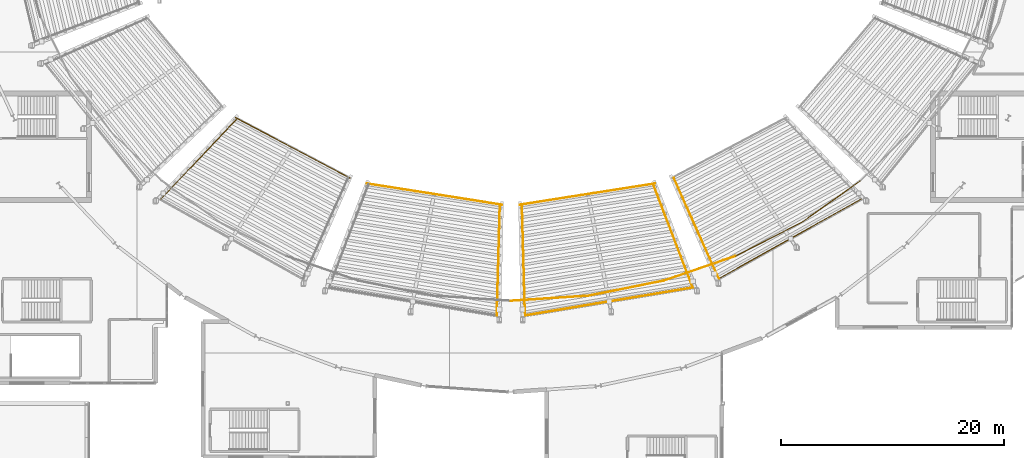
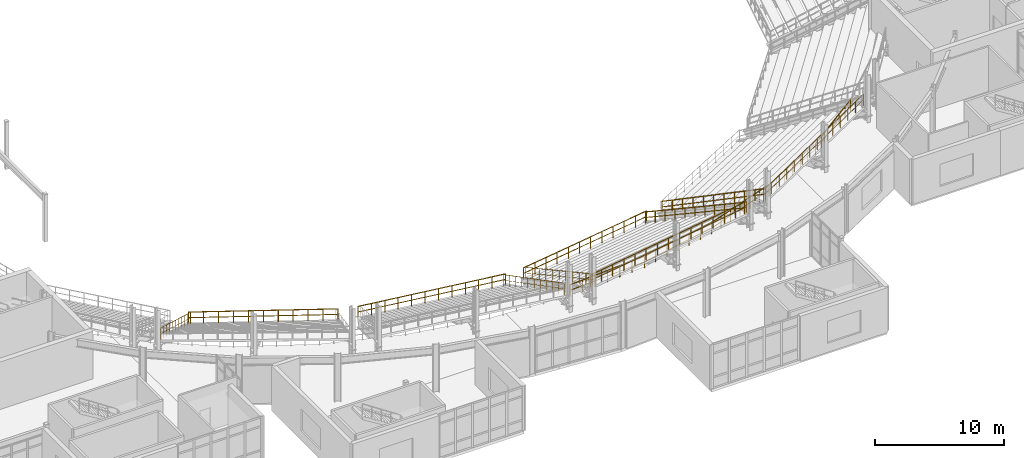
# One storey, part 73 of 81: 15 railings.
"""IFC4 building model written with IfcOpenShell, lengths in metres."""

from ifc_helpers import new_model, si_unit, direction, frame, origin, origin_2d, place, context, subcontext, project, spatial, circle, extrude, material, type_object, element, save


model = new_model("IFC4")

# Units and contexts
model_context = context("Model", 3, precision=1e-05, world=origin(), true_north=direction((0.0, 1.0)))
body_context = subcontext(model_context, "Body", "Model", "MODEL_VIEW")
ifc_project = project(units=[si_unit("LENGTHUNIT", "METRE"), si_unit("AREAUNIT", "SQUARE_METRE"), si_unit("VOLUMEUNIT", "CUBIC_METRE"), si_unit("PLANEANGLEUNIT", "RADIAN"), si_unit("MASSUNIT", "GRAM", prefix="KILO")], contexts=[model_context])

# Site, building, storey
site_placement = place(None, origin())
site = spatial("IfcSite", under=ifc_project, at=site_placement, CompositionType="ELEMENT")
building_placement = place(site_placement, origin())
building = spatial("IfcBuilding", under=site, at=building_placement, Name="Glasvene Arena", CompositionType="ELEMENT")
storey_placement = place(building_placement, frame((0.0, 0.0, 15.0)))
storey = spatial("IfcBuildingStorey", under=building, at=storey_placement, Name="L03", CompositionType="ELEMENT", Elevation=15.0)

# Railings
ifc_material = material(Name="Brushed stainless steel", Category="steel")
railing_type = type_object("IfcRailingType", Name="RL-GUARD-1100", PredefinedType="GUARDRAIL", material=ifc_material)
railing_1_placement = place(storey_placement, frame((92.0, 36.179931640625, 0.0)))
element("IfcRailing", 1, at=railing_1_placement, inside=storey, type_object=railing_type, Name="Safety guardrail GD-BWL-L03-031", PredefinedType="GUARDRAIL", context=body_context, shape_type="SweptSolid", body=[
    extrude(circle(Radius=0.02392578125, at=origin_2d()), frame((0.0, 0.0, 1.076171875), z_axis=(0.997868780368, 0.065252564446, 0.0), x_axis=(-0.065252564446, 0.997868780368, 0.0)), (0.0, 0.0, 1.0), 6.947998046875),
    extrude(circle(Radius=0.01611328125, at=origin_2d()), frame((0.0, 0.0, 0.550048828125), z_axis=(0.997868780368, 0.065252564446, 0.0), x_axis=(-0.065252564446, 0.997868780368, 0.0)), (0.0, 0.0, 1.0), 6.947998046875),
    extrude(circle(Radius=0.02099609375, at=origin_2d()), origin(), (0.0, 0.0, 1.0), 1.052001953125),
    extrude(circle(Radius=0.02099609375, at=origin_2d()), frame((1.155517578125, 0.07568359375, 0.0)), (0.0, 0.0, 1.0), 1.052001953125),
    extrude(circle(Radius=0.02099609375, at=origin_2d()), frame((2.31103515625, 0.151123046875, 0.0)), (0.0, 0.0, 1.0), 1.052001953125),
    extrude(circle(Radius=0.02099609375, at=origin_2d()), frame((3.466552734375, 0.2265625, 0.0)), (0.0, 0.0, 1.0), 1.052001953125),
    extrude(circle(Radius=0.02099609375, at=origin_2d()), frame((4.6220703125, 0.30224609375, 0.0)), (0.0, 0.0, 1.0), 1.052001953125),
    extrude(circle(Radius=0.02099609375, at=origin_2d()), frame((5.777587890625, 0.3779296875, 0.0)), (0.0, 0.0, 1.0), 1.052001953125),
    extrude(circle(Radius=0.02099609375, at=origin_2d()), frame((6.93310546875, 0.453369140625, 0.0)), (0.0, 0.0, 1.0), 1.052001953125),
])
railing_2_placement = place(storey_placement, frame((98.93310546875, 36.63330078125, 0.0)))
element("IfcRailing", 2, at=railing_2_placement, inside=storey, type_object=railing_type, Name="Safety guardrail GD-BWL-L03-032", PredefinedType="GUARDRAIL", context=body_context, shape_type="SweptSolid", body=[
    extrude(circle(Radius=0.02392578125, at=origin_2d()), frame((0.0, 0.0, 1.076171875), z_axis=(0.980681314144, 0.19561226978, 0.0), x_axis=(-0.19561226978, 0.980681314144, 0.0)), (0.0, 0.0, 1.0), 6.895751953125),
    extrude(circle(Radius=0.01611328125, at=origin_2d()), frame((0.0, 0.0, 0.550048828125), z_axis=(0.980681314144, 0.19561226978, 0.0), x_axis=(-0.19561226978, 0.980681314144, 0.0)), (0.0, 0.0, 1.0), 6.895751953125),
    extrude(circle(Radius=0.02099609375, at=origin_2d()), origin(), (0.0, 0.0, 1.0), 1.052001953125),
    extrude(circle(Radius=0.02099609375, at=origin_2d()), frame((1.126953125, 0.224853515625, 0.0)), (0.0, 0.0, 1.0), 1.052001953125),
    extrude(circle(Radius=0.02099609375, at=origin_2d()), frame((2.254150390625, 0.44970703125, 0.0)), (0.0, 0.0, 1.0), 1.052001953125),
    extrude(circle(Radius=0.02099609375, at=origin_2d()), frame((3.38134765625, 0.67431640625, 0.0)), (0.0, 0.0, 1.0), 1.052001953125),
    extrude(circle(Radius=0.02099609375, at=origin_2d()), frame((4.50830078125, 0.899169921875, 0.0)), (0.0, 0.0, 1.0), 1.052001953125),
    extrude(circle(Radius=0.02099609375, at=origin_2d()), frame((5.63525390625, 1.1240234375, 0.0)), (0.0, 0.0, 1.0), 1.052001953125),
    extrude(circle(Radius=0.02099609375, at=origin_2d()), frame((6.762451171875, 1.348876953125, 0.0)), (0.0, 0.0, 1.0), 1.052001953125),
])
railing_3_placement = place(storey_placement, frame((105.695556640625, 37.982177734375, 0.0)))
element("IfcRailing", 3, at=railing_3_placement, inside=storey, type_object=railing_type, Name="Safety guardrail GD-BWL-L03-033", PredefinedType="GUARDRAIL", context=body_context, shape_type="SweptSolid", body=[
    extrude(circle(Radius=0.02392578125, at=origin_2d()), frame((0.0, 0.0, 1.076171875), z_axis=(0.945585072806, 0.325374968437, 0.0), x_axis=(-0.325374968437, 0.945585072806, 0.0)), (0.0, 0.0, 1.0), 6.795166015625),
    extrude(circle(Radius=0.01611328125, at=origin_2d()), frame((0.0, 0.0, 0.550048828125), z_axis=(0.945585072806, 0.325374968437, 0.0), x_axis=(-0.325374968437, 0.945585072806, 0.0)), (0.0, 0.0, 1.0), 6.795166015625),
    extrude(circle(Radius=0.02099609375, at=origin_2d()), origin(), (0.0, 0.0, 1.0), 1.052001953125),
    extrude(circle(Radius=0.02099609375, at=origin_2d()), frame((1.07080078125, 0.368408203125, 0.0)), (0.0, 0.0, 1.0), 1.052001953125),
    extrude(circle(Radius=0.02099609375, at=origin_2d()), frame((2.141845703125, 0.737060546875, 0.0)), (0.0, 0.0, 1.0), 1.052001953125),
    extrude(circle(Radius=0.02099609375, at=origin_2d()), frame((3.212646484375, 1.10546875, 0.0)), (0.0, 0.0, 1.0), 1.052001953125),
    extrude(circle(Radius=0.02099609375, at=origin_2d()), frame((4.283447265625, 1.473876953125, 0.0)), (0.0, 0.0, 1.0), 1.052001953125),
    extrude(circle(Radius=0.02099609375, at=origin_2d()), frame((5.3544921875, 1.842529296875, 0.0)), (0.0, 0.0, 1.0), 1.052001953125),
    extrude(circle(Radius=0.02099609375, at=origin_2d()), frame((6.42529296875, 2.2109375, 0.0)), (0.0, 0.0, 1.0), 1.052001953125),
])
railing_4_placement = place(storey_placement, frame((112.120849609375, 40.193115234375, 0.0)))
element("IfcRailing", 4, at=railing_4_placement, inside=storey, type_object=railing_type, Name="Safety guardrail GD-BWL-L03-034", PredefinedType="GUARDRAIL", context=body_context, shape_type="SweptSolid", body=[
    extrude(circle(Radius=0.02392578125, at=origin_2d()), frame((0.0, 0.0, 1.076171875), z_axis=(0.891160148677, 0.453688868511, 0.0), x_axis=(-0.453688868511, 0.891160148677, 0.0)), (0.0, 0.0, 1.0), 6.65380859375),
    extrude(circle(Radius=0.01611328125, at=origin_2d()), frame((0.0, 0.0, 0.550048828125), z_axis=(0.891160148677, 0.453688868511, 0.0), x_axis=(-0.453688868511, 0.891160148677, 0.0)), (0.0, 0.0, 1.0), 6.65380859375),
    extrude(circle(Radius=0.02099609375, at=origin_2d()), origin(), (0.0, 0.0, 1.0), 1.052001953125),
    extrude(circle(Radius=0.02099609375, at=origin_2d()), frame((0.98828125, 0.503173828125, 0.0)), (0.0, 0.0, 1.0), 1.052001953125),
    extrude(circle(Radius=0.02099609375, at=origin_2d()), frame((1.9765625, 1.00634765625, 0.0)), (0.0, 0.0, 1.0), 1.052001953125),
    extrude(circle(Radius=0.02099609375, at=origin_2d()), frame((2.96484375, 1.50927734375, 0.0)), (0.0, 0.0, 1.0), 1.052001953125),
    extrude(circle(Radius=0.02099609375, at=origin_2d()), frame((3.953125, 2.012451171875, 0.0)), (0.0, 0.0, 1.0), 1.052001953125),
    extrude(circle(Radius=0.02099609375, at=origin_2d()), frame((4.94140625, 2.515625, 0.0)), (0.0, 0.0, 1.0), 1.052001953125),
    extrude(circle(Radius=0.02099609375, at=origin_2d()), frame((5.9296875, 3.018798828125, 0.0)), (0.0, 0.0, 1.0), 1.052001953125),
])
railing_5_placement = place(storey_placement, frame((118.050537109375, 43.2119140625, 0.0)))
element("IfcRailing", 5, at=railing_5_placement, inside=storey, type_object=railing_type, Name="Safety guardrail GD-BWL-L03-035", PredefinedType="GUARDRAIL", context=body_context, shape_type="SweptSolid", body=[
    extrude(circle(Radius=0.02392578125, at=origin_2d()), frame((0.0, 0.0, 1.076171875), z_axis=(0.815561022815, 0.57867107934, 0.0), x_axis=(-0.57867107934, 0.815561022815, 0.0)), (0.0, 0.0, 1.0), 6.484619140625),
    extrude(circle(Radius=0.01611328125, at=origin_2d()), frame((0.0, 0.0, 0.550048828125), z_axis=(0.815561022815, 0.57867107934, 0.0), x_axis=(-0.57867107934, 0.815561022815, 0.0)), (0.0, 0.0, 1.0), 6.484619140625),
    extrude(circle(Radius=0.02099609375, at=origin_2d()), origin(), (0.0, 0.0, 1.0), 1.052001953125),
    extrude(circle(Radius=0.02099609375, at=origin_2d()), frame((0.88134765625, 0.62548828125, 0.0)), (0.0, 0.0, 1.0), 1.052001953125),
    extrude(circle(Radius=0.02099609375, at=origin_2d()), frame((1.762939453125, 1.250732421875, 0.0)), (0.0, 0.0, 1.0), 1.052001953125),
    extrude(circle(Radius=0.02099609375, at=origin_2d()), frame((2.644287109375, 1.876220703125, 0.0)), (0.0, 0.0, 1.0), 1.052001953125),
    extrude(circle(Radius=0.02099609375, at=origin_2d()), frame((3.525634765625, 2.501708984375, 0.0)), (0.0, 0.0, 1.0), 1.052001953125),
    extrude(circle(Radius=0.02099609375, at=origin_2d()), frame((4.4072265625, 3.126953125, 0.0)), (0.0, 0.0, 1.0), 1.052001953125),
    extrude(circle(Radius=0.02099609375, at=origin_2d()), frame((5.28857421875, 3.75244140625, 0.0)), (0.0, 0.0, 1.0), 1.052001953125),
])
railing_6_placement = place(storey_placement, frame((67.32177734375, 52.597900390625, -3.89990234375)))
element("IfcRailing", 6, at=railing_6_placement, inside=storey, type_object=railing_type, Name="Safety guardrail GD-TU-UF-11-001", PredefinedType="GUARDRAIL", context=body_context, shape_type="SweptSolid", body=[
    extrude(circle(Radius=0.02392578125, at=origin_2d()), frame((0.0, 0.0, 1.076171875), z_axis=(0.884339402023, -0.466844537324, 0.0), x_axis=(0.466844537324, 0.884339402023, 0.0)), (0.0, 0.0, 1.0), 11.60595703125),
    extrude(circle(Radius=0.01611328125, at=origin_2d()), frame((0.0, 0.0, 0.550048828125), z_axis=(0.884339402023, -0.466844537324, 0.0), x_axis=(0.466844537324, 0.884339402023, 0.0)), (0.0, 0.0, 1.0), 11.60595703125),
    extrude(circle(Radius=0.02099609375, at=origin_2d()), origin(), (0.0, 0.0, 1.0), 1.052001953125),
    extrude(circle(Radius=0.02099609375, at=origin_2d()), frame((1.0263671875, -0.541748046875, 0.0)), (0.0, 0.0, 1.0), 1.052001953125),
    extrude(circle(Radius=0.02099609375, at=origin_2d()), frame((2.052734375, -1.083740234375, 0.0)), (0.0, 0.0, 1.0), 1.052001953125),
    extrude(circle(Radius=0.02099609375, at=origin_2d()), frame((3.0791015625, -1.62548828125, 0.0)), (0.0, 0.0, 1.0), 1.052001953125),
    extrude(circle(Radius=0.02099609375, at=origin_2d()), frame((4.10546875, -2.167236328125, 0.0)), (0.0, 0.0, 1.0), 1.052001953125),
    extrude(circle(Radius=0.02099609375, at=origin_2d()), frame((5.1318359375, -2.708984375, 0.0)), (0.0, 0.0, 1.0), 1.052001953125),
    extrude(circle(Radius=0.02099609375, at=origin_2d()), frame((6.158203125, -3.2509765625, 0.0)), (0.0, 0.0, 1.0), 1.052001953125),
    extrude(circle(Radius=0.02099609375, at=origin_2d()), frame((7.1845703125, -3.792724609375, 0.0)), (0.0, 0.0, 1.0), 1.052001953125),
    extrude(circle(Radius=0.02099609375, at=origin_2d()), frame((8.2109375, -4.33447265625, 0.0)), (0.0, 0.0, 1.0), 1.052001953125),
    extrude(circle(Radius=0.02099609375, at=origin_2d()), frame((9.2373046875, -4.87646484375, 0.0)), (0.0, 0.0, 1.0), 1.052001953125),
    extrude(circle(Radius=0.02099609375, at=origin_2d()), frame((10.263671875, -5.418212890625, 0.0)), (0.0, 0.0, 1.0), 1.052001953125),
])
railing_7_placement = place(storey_placement, frame((67.430419921875, 52.478759765625, -3.89990234375)))
element("IfcRailing", 7, at=railing_7_placement, inside=storey, type_object=railing_type, Name="Upper tier radial aisle guard 11-1", PredefinedType="GUARDRAIL", context=body_context, shape_type="SweptSolid", body=[
    extrude(circle(Radius=0.02392578125, at=origin_2d()), frame((0.0, 0.0, 1.076171875), z_axis=(-0.60640450532, -0.640959204418, 0.470579296399), x_axis=(0.726416506845, -0.687254726126, 0.0)), (0.0, 0.0, 1.0), 11.2197265625),
    extrude(circle(Radius=0.01611328125, at=origin_2d()), frame((0.0, 0.0, 0.550048828125), z_axis=(-0.60640450532, -0.640959204418, 0.470579296399), x_axis=(0.726416506845, -0.687254726126, 0.0)), (0.0, 0.0, 1.0), 11.2197265625),
    extrude(circle(Radius=0.02099609375, at=origin_2d()), origin(), (0.0, 0.0, 1.0), 1.052001953125),
    extrude(circle(Radius=0.02099609375, at=origin_2d()), frame((-0.680419921875, -0.71923828125, 0.528076171875)), (0.0, 0.0, 1.0), 1.052001953125),
    extrude(circle(Radius=0.02099609375, at=origin_2d()), frame((-1.36083984375, -1.438232421875, 1.055908203125)), (0.0, 0.0, 1.0), 1.052001953125),
    extrude(circle(Radius=0.02099609375, at=origin_2d()), frame((-2.041015625, -2.157470703125, 1.583984375)), (0.0, 0.0, 1.0), 1.052001953125),
    extrude(circle(Radius=0.02099609375, at=origin_2d()), frame((-2.721435546875, -2.87646484375, 2.11181640625)), (0.0, 0.0, 1.0), 1.052001953125),
    extrude(circle(Radius=0.02099609375, at=origin_2d()), frame((-3.40185546875, -3.595703125, 2.639892578125)), (0.0, 0.0, 1.0), 1.052001953125),
    extrude(circle(Radius=0.02099609375, at=origin_2d()), frame((-4.082275390625, -4.31494140625, 3.16796875)), (0.0, 0.0, 1.0), 1.052001953125),
    extrude(circle(Radius=0.02099609375, at=origin_2d()), frame((-4.7626953125, -5.033935546875, 3.69580078125)), (0.0, 0.0, 1.0), 1.052001953125),
    extrude(circle(Radius=0.02099609375, at=origin_2d()), frame((-5.44287109375, -5.753173828125, 4.223876953125)), (0.0, 0.0, 1.0), 1.052001953125),
    extrude(circle(Radius=0.02099609375, at=origin_2d()), frame((-6.123291015625, -6.47216796875, 4.751708984375)), (0.0, 0.0, 1.0), 1.052001953125),
    extrude(circle(Radius=0.02099609375, at=origin_2d()), frame((-6.8037109375, -7.19140625, 5.27978515625)), (0.0, 0.0, 1.0), 1.052001953125),
])
railing_8_placement = place(storey_placement, frame((79.082763671875, 46.689697265625, -3.89990234375)))
element("IfcRailing", 8, at=railing_8_placement, inside=storey, type_object=railing_type, Name="Safety guardrail GD-TU-UF-12-001", PredefinedType="GUARDRAIL", context=body_context, shape_type="SweptSolid", body=[
    extrude(circle(Radius=0.02392578125, at=origin_2d()), frame((0.0, 0.0, 1.076171875), z_axis=(0.987879307445, -0.155223947643, 0.0), x_axis=(0.155223947643, 0.987879307445, 0.0)), (0.0, 0.0, 1.0), 12.25537109375),
    extrude(circle(Radius=0.01611328125, at=origin_2d()), frame((0.0, 0.0, 0.550048828125), z_axis=(0.987879307445, -0.155223947643, 0.0), x_axis=(0.155223947643, 0.987879307445, 0.0)), (0.0, 0.0, 1.0), 12.25537109375),
    extrude(circle(Radius=0.02099609375, at=origin_2d()), origin(), (0.0, 0.0, 1.0), 1.052001953125),
    extrude(circle(Radius=0.02099609375, at=origin_2d()), frame((1.1005859375, -0.1728515625, 0.0)), (0.0, 0.0, 1.0), 1.052001953125),
    extrude(circle(Radius=0.02099609375, at=origin_2d()), frame((2.201171875, -0.345947265625, 0.0)), (0.0, 0.0, 1.0), 1.052001953125),
    extrude(circle(Radius=0.02099609375, at=origin_2d()), frame((3.302001953125, -0.518798828125, 0.0)), (0.0, 0.0, 1.0), 1.052001953125),
    extrude(circle(Radius=0.02099609375, at=origin_2d()), frame((4.402587890625, -0.691650390625, 0.0)), (0.0, 0.0, 1.0), 1.052001953125),
    extrude(circle(Radius=0.02099609375, at=origin_2d()), frame((5.503173828125, -0.86474609375, 0.0)), (0.0, 0.0, 1.0), 1.052001953125),
    extrude(circle(Radius=0.02099609375, at=origin_2d()), frame((6.603759765625, -1.03759765625, 0.0)), (0.0, 0.0, 1.0), 1.052001953125),
    extrude(circle(Radius=0.02099609375, at=origin_2d()), frame((7.704345703125, -1.210693359375, 0.0)), (0.0, 0.0, 1.0), 1.052001953125),
    extrude(circle(Radius=0.02099609375, at=origin_2d()), frame((8.804931640625, -1.383544921875, 0.0)), (0.0, 0.0, 1.0), 1.052001953125),
    extrude(circle(Radius=0.02099609375, at=origin_2d()), frame((9.90576171875, -1.556396484375, 0.0)), (0.0, 0.0, 1.0), 1.052001953125),
    extrude(circle(Radius=0.02099609375, at=origin_2d()), frame((11.00634765625, -1.7294921875, 0.0)), (0.0, 0.0, 1.0), 1.052001953125),
    extrude(circle(Radius=0.02099609375, at=origin_2d()), frame((12.10693359375, -1.90234375, 0.0)), (0.0, 0.0, 1.0), 1.052001953125),
])
railing_9_placement = place(storey_placement, frame((91.01025390625, 44.7607421875, -3.89990234375)))
element("IfcRailing", 9, at=railing_9_placement, inside=storey, type_object=railing_type, Name="Upper tier radial aisle guard 12-2", PredefinedType="GUARDRAIL", context=body_context, shape_type="SweptSolid", body=[
    extrude(circle(Radius=0.02392578125, at=origin_2d()), frame((0.0, 0.0, 1.076171875), z_axis=(-0.024435970289, -0.882023201836, 0.470571944317), x_axis=(0.99961645242, -0.027693826966, 0.0)), (0.0, 0.0, 1.0), 11.219970703125),
    extrude(circle(Radius=0.01611328125, at=origin_2d()), frame((0.0, 0.0, 0.550048828125), z_axis=(-0.024435970289, -0.882023201836, 0.470571944317), x_axis=(0.99961645242, -0.027693826966, 0.0)), (0.0, 0.0, 1.0), 11.219970703125),
    extrude(circle(Radius=0.02099609375, at=origin_2d()), origin(), (0.0, 0.0, 1.0), 1.052001953125),
    extrude(circle(Radius=0.02099609375, at=origin_2d()), frame((-0.02734375, -0.98974609375, 0.528076171875)), (0.0, 0.0, 1.0), 1.052001953125),
    extrude(circle(Radius=0.02099609375, at=origin_2d()), frame((-0.054931640625, -1.979248046875, 1.055908203125)), (0.0, 0.0, 1.0), 1.052001953125),
    extrude(circle(Radius=0.02099609375, at=origin_2d()), frame((-0.082275390625, -2.96875, 1.583984375)), (0.0, 0.0, 1.0), 1.052001953125),
    extrude(circle(Radius=0.02099609375, at=origin_2d()), frame((-0.109619140625, -3.95849609375, 2.11181640625)), (0.0, 0.0, 1.0), 1.052001953125),
    extrude(circle(Radius=0.02099609375, at=origin_2d()), frame((-0.13720703125, -4.9482421875, 2.639892578125)), (0.0, 0.0, 1.0), 1.052001953125),
    extrude(circle(Radius=0.02099609375, at=origin_2d()), frame((-0.16455078125, -5.937744140625, 3.16796875)), (0.0, 0.0, 1.0), 1.052001953125),
    extrude(circle(Radius=0.02099609375, at=origin_2d()), frame((-0.19189453125, -6.92724609375, 3.69580078125)), (0.0, 0.0, 1.0), 1.052001953125),
    extrude(circle(Radius=0.02099609375, at=origin_2d()), frame((-0.21923828125, -7.9169921875, 4.223876953125)), (0.0, 0.0, 1.0), 1.052001953125),
    extrude(circle(Radius=0.02099609375, at=origin_2d()), frame((-0.246826171875, -8.90673828125, 4.751708984375)), (0.0, 0.0, 1.0), 1.052001953125),
    extrude(circle(Radius=0.02099609375, at=origin_2d()), frame((-0.274169921875, -9.896240234375, 5.27978515625)), (0.0, 0.0, 1.0), 1.052001953125),
])
railing_10_placement = place(storey_placement, frame((92.810302734375, 44.787353515625, -3.89990234375)))
element("IfcRailing", 10, at=railing_10_placement, inside=storey, type_object=railing_type, Name="Safety guardrail GD-TU-UF-13-001", PredefinedType="GUARDRAIL", context=body_context, shape_type="SweptSolid", body=[
    extrude(circle(Radius=0.02392578125, at=origin_2d()), frame((0.0, 0.0, 1.076171875), z_axis=(0.987879307445, 0.155223947643, 0.0), x_axis=(-0.155223947643, 0.987879307445, 0.0)), (0.0, 0.0, 1.0), 12.25537109375),
    extrude(circle(Radius=0.01611328125, at=origin_2d()), frame((0.0, 0.0, 0.550048828125), z_axis=(0.987879307445, 0.155223947643, 0.0), x_axis=(-0.155223947643, 0.987879307445, 0.0)), (0.0, 0.0, 1.0), 12.25537109375),
    extrude(circle(Radius=0.02099609375, at=origin_2d()), origin(), (0.0, 0.0, 1.0), 1.052001953125),
    extrude(circle(Radius=0.02099609375, at=origin_2d()), frame((1.1005859375, 0.1728515625, 0.0)), (0.0, 0.0, 1.0), 1.052001953125),
    extrude(circle(Radius=0.02099609375, at=origin_2d()), frame((2.201171875, 0.345947265625, 0.0)), (0.0, 0.0, 1.0), 1.052001953125),
    extrude(circle(Radius=0.02099609375, at=origin_2d()), frame((3.302001953125, 0.518798828125, 0.0)), (0.0, 0.0, 1.0), 1.052001953125),
    extrude(circle(Radius=0.02099609375, at=origin_2d()), frame((4.402587890625, 0.691650390625, 0.0)), (0.0, 0.0, 1.0), 1.052001953125),
    extrude(circle(Radius=0.02099609375, at=origin_2d()), frame((5.503173828125, 0.86474609375, 0.0)), (0.0, 0.0, 1.0), 1.052001953125),
    extrude(circle(Radius=0.02099609375, at=origin_2d()), frame((6.603759765625, 1.03759765625, 0.0)), (0.0, 0.0, 1.0), 1.052001953125),
    extrude(circle(Radius=0.02099609375, at=origin_2d()), frame((7.704345703125, 1.210693359375, 0.0)), (0.0, 0.0, 1.0), 1.052001953125),
    extrude(circle(Radius=0.02099609375, at=origin_2d()), frame((8.804931640625, 1.383544921875, 0.0)), (0.0, 0.0, 1.0), 1.052001953125),
    extrude(circle(Radius=0.02099609375, at=origin_2d()), frame((9.90576171875, 1.556396484375, 0.0)), (0.0, 0.0, 1.0), 1.052001953125),
    extrude(circle(Radius=0.02099609375, at=origin_2d()), frame((11.00634765625, 1.7294921875, 0.0)), (0.0, 0.0, 1.0), 1.052001953125),
    extrude(circle(Radius=0.02099609375, at=origin_2d()), frame((12.10693359375, 1.90234375, 0.0)), (0.0, 0.0, 1.0), 1.052001953125),
])
railing_11_placement = place(storey_placement, frame((93.036376953125, 34.829833984375, 1.3798828125)))
element("IfcRailing", 11, at=railing_11_placement, inside=storey, type_object=railing_type, Name="Safety guardrail GD-TU-UR-13-001", PredefinedType="GUARDRAIL", context=body_context, shape_type="SweptSolid", body=[
    extrude(circle(Radius=0.02392578125, at=origin_2d()), frame((0.0, 0.0, 1.076171875), z_axis=(0.98646068738, 0.163997903197, 0.0), x_axis=(-0.163997903197, 0.98646068738, 0.0)), (0.0, 0.0, 1.0), 15.695068359375),
    extrude(circle(Radius=0.01611328125, at=origin_2d()), frame((0.0, 0.0, 0.550048828125), z_axis=(0.98646068738, 0.163997903197, 0.0), x_axis=(-0.163997903197, 0.98646068738, 0.0)), (0.0, 0.0, 1.0), 15.695068359375),
    extrude(circle(Radius=0.02099609375, at=origin_2d()), origin(), (0.0, 0.0, 1.0), 1.052001953125),
    extrude(circle(Radius=0.02099609375, at=origin_2d()), frame((1.10595703125, 0.183837890625, 0.0)), (0.0, 0.0, 1.0), 1.052001953125),
    extrude(circle(Radius=0.02099609375, at=origin_2d()), frame((2.2119140625, 0.36767578125, 0.0)), (0.0, 0.0, 1.0), 1.052001953125),
    extrude(circle(Radius=0.02099609375, at=origin_2d()), frame((3.317626953125, 0.551513671875, 0.0)), (0.0, 0.0, 1.0), 1.052001953125),
    extrude(circle(Radius=0.02099609375, at=origin_2d()), frame((4.423583984375, 0.7353515625, 0.0)), (0.0, 0.0, 1.0), 1.052001953125),
    extrude(circle(Radius=0.02099609375, at=origin_2d()), frame((5.529541015625, 0.919189453125, 0.0)), (0.0, 0.0, 1.0), 1.052001953125),
    extrude(circle(Radius=0.02099609375, at=origin_2d()), frame((6.635498046875, 1.10302734375, 0.0)), (0.0, 0.0, 1.0), 1.052001953125),
    extrude(circle(Radius=0.02099609375, at=origin_2d()), frame((7.7412109375, 1.287109375, 0.0)), (0.0, 0.0, 1.0), 1.052001953125),
    extrude(circle(Radius=0.02099609375, at=origin_2d()), frame((8.84716796875, 1.470947265625, 0.0)), (0.0, 0.0, 1.0), 1.052001953125),
    extrude(circle(Radius=0.02099609375, at=origin_2d()), frame((9.953125, 1.65478515625, 0.0)), (0.0, 0.0, 1.0), 1.052001953125),
    extrude(circle(Radius=0.02099609375, at=origin_2d()), frame((11.05908203125, 1.838623046875, 0.0)), (0.0, 0.0, 1.0), 1.052001953125),
    extrude(circle(Radius=0.02099609375, at=origin_2d()), frame((12.1650390625, 2.0224609375, 0.0)), (0.0, 0.0, 1.0), 1.052001953125),
    extrude(circle(Radius=0.02099609375, at=origin_2d()), frame((13.270751953125, 2.206298828125, 0.0)), (0.0, 0.0, 1.0), 1.052001953125),
    extrude(circle(Radius=0.02099609375, at=origin_2d()), frame((14.376708984375, 2.39013671875, 0.0)), (0.0, 0.0, 1.0), 1.052001953125),
    extrude(circle(Radius=0.02099609375, at=origin_2d()), frame((15.482666015625, 2.573974609375, 0.0)), (0.0, 0.0, 1.0), 1.052001953125),
])
railing_12_placement = place(storey_placement, frame((92.98974609375, 44.7607421875, -3.89990234375)))
element("IfcRailing", 12, at=railing_12_placement, inside=storey, type_object=railing_type, Name="Upper tier radial aisle guard 13-1", PredefinedType="GUARDRAIL", context=body_context, shape_type="SweptSolid", body=[
    extrude(circle(Radius=0.02392578125, at=origin_2d()), frame((0.0, 0.0, 1.076171875), z_axis=(0.024435970289, -0.882023201836, 0.470571944317), x_axis=(0.99961645242, 0.027693826966, 0.0)), (0.0, 0.0, 1.0), 11.219970703125),
    extrude(circle(Radius=0.01611328125, at=origin_2d()), frame((0.0, 0.0, 0.550048828125), z_axis=(0.024435970289, -0.882023201836, 0.470571944317), x_axis=(0.99961645242, 0.027693826966, 0.0)), (0.0, 0.0, 1.0), 11.219970703125),
    extrude(circle(Radius=0.02099609375, at=origin_2d()), origin(), (0.0, 0.0, 1.0), 1.052001953125),
    extrude(circle(Radius=0.02099609375, at=origin_2d()), frame((0.02734375, -0.98974609375, 0.528076171875)), (0.0, 0.0, 1.0), 1.052001953125),
    extrude(circle(Radius=0.02099609375, at=origin_2d()), frame((0.054931640625, -1.979248046875, 1.055908203125)), (0.0, 0.0, 1.0), 1.052001953125),
    extrude(circle(Radius=0.02099609375, at=origin_2d()), frame((0.082275390625, -2.96875, 1.583984375)), (0.0, 0.0, 1.0), 1.052001953125),
    extrude(circle(Radius=0.02099609375, at=origin_2d()), frame((0.109619140625, -3.95849609375, 2.11181640625)), (0.0, 0.0, 1.0), 1.052001953125),
    extrude(circle(Radius=0.02099609375, at=origin_2d()), frame((0.13720703125, -4.9482421875, 2.639892578125)), (0.0, 0.0, 1.0), 1.052001953125),
    extrude(circle(Radius=0.02099609375, at=origin_2d()), frame((0.16455078125, -5.937744140625, 3.16796875)), (0.0, 0.0, 1.0), 1.052001953125),
    extrude(circle(Radius=0.02099609375, at=origin_2d()), frame((0.19189453125, -6.92724609375, 3.69580078125)), (0.0, 0.0, 1.0), 1.052001953125),
    extrude(circle(Radius=0.02099609375, at=origin_2d()), frame((0.21923828125, -7.9169921875, 4.223876953125)), (0.0, 0.0, 1.0), 1.052001953125),
    extrude(circle(Radius=0.02099609375, at=origin_2d()), frame((0.246826171875, -8.90673828125, 4.751708984375)), (0.0, 0.0, 1.0), 1.052001953125),
    extrude(circle(Radius=0.02099609375, at=origin_2d()), frame((0.274169921875, -9.896240234375, 5.27978515625)), (0.0, 0.0, 1.0), 1.052001953125),
])
railing_13_placement = place(storey_placement, frame((104.76123046875, 46.611083984375, -3.89990234375)))
element("IfcRailing", 13, at=railing_13_placement, inside=storey, type_object=railing_type, Name="Upper tier radial aisle guard 13-2", PredefinedType="GUARDRAIL", context=body_context, shape_type="SweptSolid", body=[
    extrude(circle(Radius=0.02392578125, at=origin_2d()), frame((0.0, 0.0, 1.076171875), z_axis=(0.314969660296, -0.824230449904, 0.470572288329), x_axis=(0.934118839399, 0.3569621743, 0.0)), (0.0, 0.0, 1.0), 11.219970703125),
    extrude(circle(Radius=0.01611328125, at=origin_2d()), frame((0.0, 0.0, 0.550048828125), z_axis=(0.314969660296, -0.824230449904, 0.470572288329), x_axis=(0.934118839399, 0.3569621743, 0.0)), (0.0, 0.0, 1.0), 11.219970703125),
    extrude(circle(Radius=0.02099609375, at=origin_2d()), origin(), (0.0, 0.0, 1.0), 1.052001953125),
    extrude(circle(Radius=0.02099609375, at=origin_2d()), frame((0.353515625, -0.9248046875, 0.528076171875)), (0.0, 0.0, 1.0), 1.052001953125),
    extrude(circle(Radius=0.02099609375, at=origin_2d()), frame((0.706787109375, -1.849609375, 1.055908203125)), (0.0, 0.0, 1.0), 1.052001953125),
    extrude(circle(Radius=0.02099609375, at=origin_2d()), frame((1.06005859375, -2.7744140625, 1.583984375)), (0.0, 0.0, 1.0), 1.052001953125),
    extrude(circle(Radius=0.02099609375, at=origin_2d()), frame((1.41357421875, -3.69921875, 2.11181640625)), (0.0, 0.0, 1.0), 1.052001953125),
    extrude(circle(Radius=0.02099609375, at=origin_2d()), frame((1.76708984375, -4.6240234375, 2.639892578125)), (0.0, 0.0, 1.0), 1.052001953125),
    extrude(circle(Radius=0.02099609375, at=origin_2d()), frame((2.120361328125, -5.548583984375, 3.16796875)), (0.0, 0.0, 1.0), 1.052001953125),
    extrude(circle(Radius=0.02099609375, at=origin_2d()), frame((2.4736328125, -6.473388671875, 3.69580078125)), (0.0, 0.0, 1.0), 1.052001953125),
    extrude(circle(Radius=0.02099609375, at=origin_2d()), frame((2.8271484375, -7.398193359375, 4.223876953125)), (0.0, 0.0, 1.0), 1.052001953125),
    extrude(circle(Radius=0.02099609375, at=origin_2d()), frame((3.1806640625, -8.322998046875, 4.751708984375)), (0.0, 0.0, 1.0), 1.052001953125),
    extrude(circle(Radius=0.02099609375, at=origin_2d()), frame((3.533935546875, -9.247802734375, 5.27978515625)), (0.0, 0.0, 1.0), 1.052001953125),
])
railing_14_placement = place(storey_placement, frame((110.433837890625, 38.06689453125, 1.3798828125)))
element("IfcRailing", 14, at=railing_14_placement, inside=storey, type_object=railing_type, Name="Safety guardrail GD-TU-UR-14-001", PredefinedType="GUARDRAIL", context=body_context, shape_type="SweptSolid", body=[
    extrude(circle(Radius=0.02392578125, at=origin_2d()), frame((0.0, 0.0, 1.076171875), z_axis=(0.873075045676, 0.487585853587, 0.0), x_axis=(-0.487585853587, 0.873075045676, 0.0)), (0.0, 0.0, 1.0), 15.033935546875),
    extrude(circle(Radius=0.01611328125, at=origin_2d()), frame((0.0, 0.0, 0.550048828125), z_axis=(0.873075045676, 0.487585853587, 0.0), x_axis=(-0.487585853587, 0.873075045676, 0.0)), (0.0, 0.0, 1.0), 15.033935546875),
    extrude(circle(Radius=0.02099609375, at=origin_2d()), origin(), (0.0, 0.0, 1.0), 1.052001953125),
    extrude(circle(Radius=0.02099609375, at=origin_2d()), frame((1.009765625, 0.56396484375, 0.0)), (0.0, 0.0, 1.0), 1.052001953125),
    extrude(circle(Radius=0.02099609375, at=origin_2d()), frame((2.019287109375, 1.127685546875, 0.0)), (0.0, 0.0, 1.0), 1.052001953125),
    extrude(circle(Radius=0.02099609375, at=origin_2d()), frame((3.029052734375, 1.691650390625, 0.0)), (0.0, 0.0, 1.0), 1.052001953125),
    extrude(circle(Radius=0.02099609375, at=origin_2d()), frame((4.03857421875, 2.25537109375, 0.0)), (0.0, 0.0, 1.0), 1.052001953125),
    extrude(circle(Radius=0.02099609375, at=origin_2d()), frame((5.04833984375, 2.8193359375, 0.0)), (0.0, 0.0, 1.0), 1.052001953125),
    extrude(circle(Radius=0.02099609375, at=origin_2d()), frame((6.05810546875, 3.38330078125, 0.0)), (0.0, 0.0, 1.0), 1.052001953125),
    extrude(circle(Radius=0.02099609375, at=origin_2d()), frame((7.067626953125, 3.947021484375, 0.0)), (0.0, 0.0, 1.0), 1.052001953125),
    extrude(circle(Radius=0.02099609375, at=origin_2d()), frame((8.077392578125, 4.510986328125, 0.0)), (0.0, 0.0, 1.0), 1.052001953125),
    extrude(circle(Radius=0.02099609375, at=origin_2d()), frame((9.087158203125, 5.074951171875, 0.0)), (0.0, 0.0, 1.0), 1.052001953125),
    extrude(circle(Radius=0.02099609375, at=origin_2d()), frame((10.0966796875, 5.638671875, 0.0)), (0.0, 0.0, 1.0), 1.052001953125),
    extrude(circle(Radius=0.02099609375, at=origin_2d()), frame((11.1064453125, 6.20263671875, 0.0)), (0.0, 0.0, 1.0), 1.052001953125),
    extrude(circle(Radius=0.02099609375, at=origin_2d()), frame((12.115966796875, 6.766357421875, 0.0)), (0.0, 0.0, 1.0), 1.052001953125),
    extrude(circle(Radius=0.02099609375, at=origin_2d()), frame((13.125732421875, 7.330322265625, 0.0)), (0.0, 0.0, 1.0), 1.052001953125),
])
railing_15_placement = place(storey_placement, frame((106.590087890625, 47.209716796875, -3.89990234375)))
element("IfcRailing", 15, at=railing_15_placement, inside=storey, type_object=railing_type, Name="Upper tier radial aisle guard 14-1", PredefinedType="GUARDRAIL", context=body_context, shape_type="SweptSolid", body=[
    extrude(circle(Radius=0.02392578125, at=origin_2d()), frame((0.0, 0.0, 1.076171875), z_axis=(0.36011745781, -0.805531618618, 0.470567984447), x_axis=(0.912924660078, 0.408128123292, 0.0)), (0.0, 0.0, 1.0), 11.219970703125),
    extrude(circle(Radius=0.01611328125, at=origin_2d()), frame((0.0, 0.0, 0.550048828125), z_axis=(0.36011745781, -0.805531618618, 0.470567984447), x_axis=(0.912924660078, 0.408128123292, 0.0)), (0.0, 0.0, 1.0), 11.219970703125),
    extrude(circle(Radius=0.02099609375, at=origin_2d()), origin(), (0.0, 0.0, 1.0), 1.052001953125),
    extrude(circle(Radius=0.02099609375, at=origin_2d()), frame((0.404052734375, -0.90380859375, 0.528076171875)), (0.0, 0.0, 1.0), 1.052001953125),
    extrude(circle(Radius=0.02099609375, at=origin_2d()), frame((0.80810546875, -1.8076171875, 1.055908203125)), (0.0, 0.0, 1.0), 1.052001953125),
    extrude(circle(Radius=0.02099609375, at=origin_2d()), frame((1.212158203125, -2.71142578125, 1.583984375)), (0.0, 0.0, 1.0), 1.052001953125),
    extrude(circle(Radius=0.02099609375, at=origin_2d()), frame((1.6162109375, -3.615234375, 2.11181640625)), (0.0, 0.0, 1.0), 1.052001953125),
    extrude(circle(Radius=0.02099609375, at=origin_2d()), frame((2.020263671875, -4.51904296875, 2.639892578125)), (0.0, 0.0, 1.0), 1.052001953125),
    extrude(circle(Radius=0.02099609375, at=origin_2d()), frame((2.42431640625, -5.4228515625, 3.16796875)), (0.0, 0.0, 1.0), 1.052001953125),
    extrude(circle(Radius=0.02099609375, at=origin_2d()), frame((2.828369140625, -6.32666015625, 3.69580078125)), (0.0, 0.0, 1.0), 1.052001953125),
    extrude(circle(Radius=0.02099609375, at=origin_2d()), frame((3.232421875, -7.23046875, 4.223876953125)), (0.0, 0.0, 1.0), 1.052001953125),
    extrude(circle(Radius=0.02099609375, at=origin_2d()), frame((3.636474609375, -8.13427734375, 4.751708984375)), (0.0, 0.0, 1.0), 1.052001953125),
    extrude(circle(Radius=0.02099609375, at=origin_2d()), frame((4.04052734375, -9.0380859375, 5.27978515625)), (0.0, 0.0, 1.0), 1.052001953125),
])

save(model, "model.ifc")
